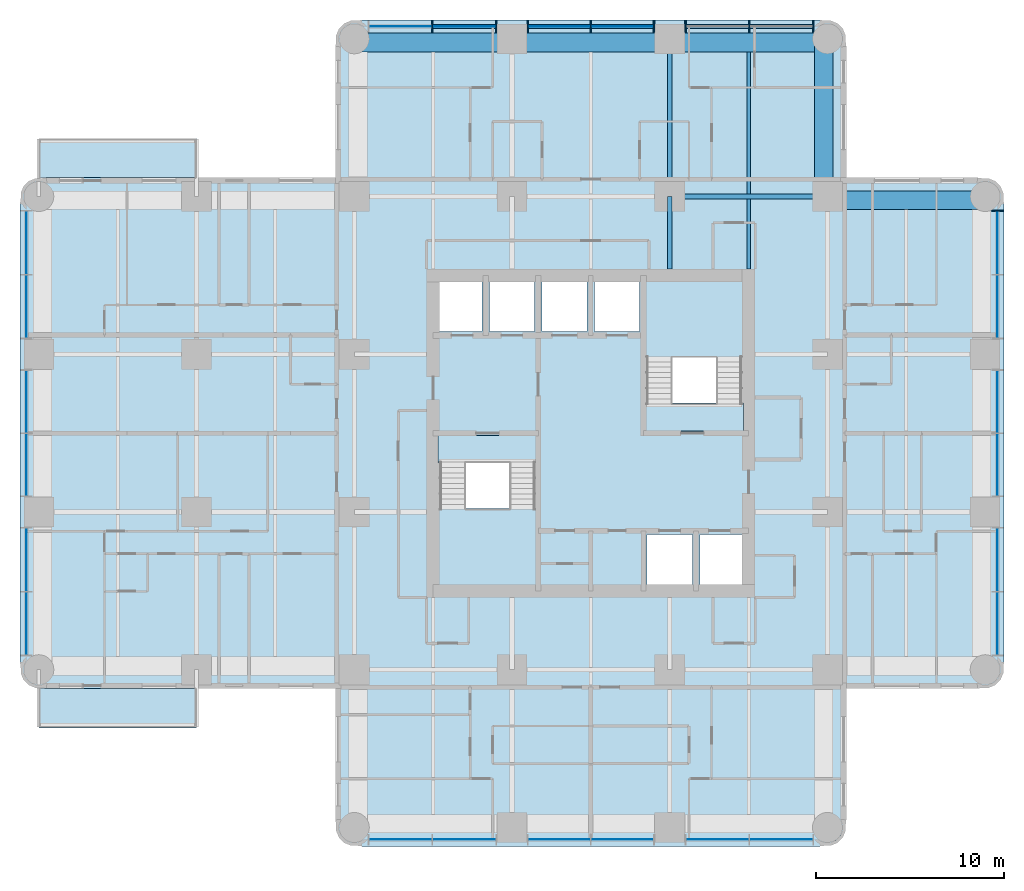
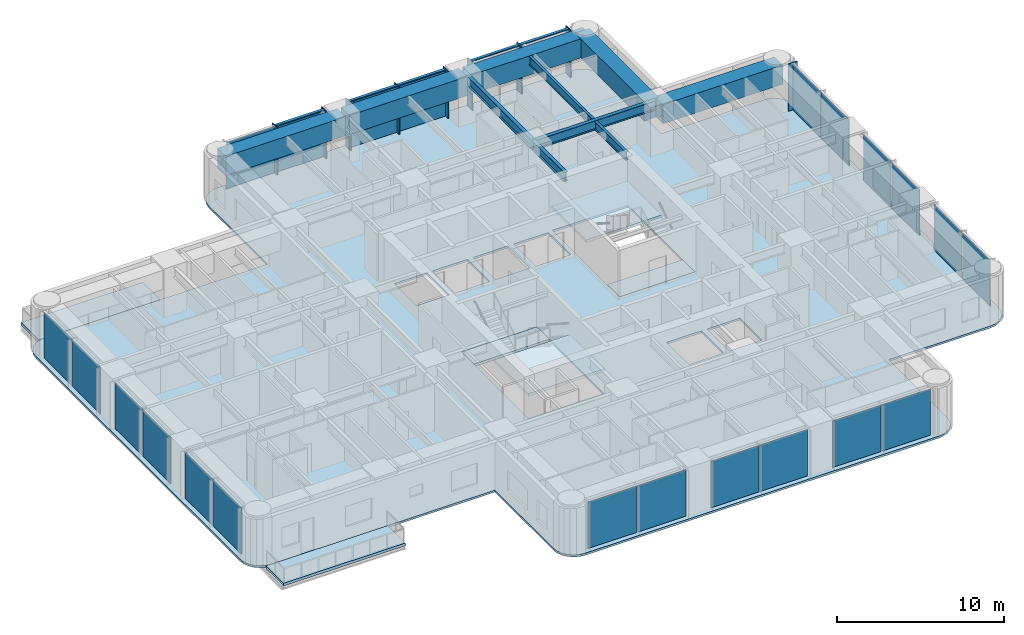
# One storey, part 3 of 11: 22 plates, 14 members, 10 beams, 7 slabs, 6 elements without a shape of their own.
"""IFC4 building model written with IfcOpenShell, lengths in metres."""

from ifc_helpers import new_model, si_unit, direction, frame, origin, origin_2d, place, context, subcontext, project, spatial, polyline, rectangle, i_section, outline, extrude, material, layer, layer_set, material_profile, profile_set, type_object, element, aggregate, save


model = new_model("IFC4")

# Units and contexts
model_context = context("Model", 3, precision=1e-05, world=origin(), true_north=direction((0.0, 1.0)))
body_context = subcontext(model_context, "Body", "Model", "MODEL_VIEW")
ifc_project = project(units=[si_unit("LENGTHUNIT", "METRE"), si_unit("AREAUNIT", "SQUARE_METRE"), si_unit("VOLUMEUNIT", "CUBIC_METRE"), si_unit("PLANEANGLEUNIT", "RADIAN"), si_unit("MASSUNIT", "GRAM", prefix="KILO")], contexts=[model_context])

# Site, building, storey
site_placement = place(None, origin())
site = spatial("IfcSite", under=ifc_project, at=site_placement, CompositionType="ELEMENT")
building_placement = place(site_placement, origin())
building = spatial("IfcBuilding", under=site, at=building_placement, Name="Torre Alcanfor", CompositionType="ELEMENT")
storey_placement = place(building_placement, frame((0.0, 0.0, 240.89990234375)))
storey = spatial("IfcBuildingStorey", under=building, at=storey_placement, Name="L63", CompositionType="ELEMENT", Elevation=240.89990234375)

# Curtain wall, member
ifc_material_1 = material(Name="Aluminium and glass", Category="aluminium")
curtain_wall_type = type_object("IfcCurtainWallType", Name="CW-A unitised apartment glazing with vertical FIN", PredefinedType="NOTDEFINED", material=ifc_material_1)
curtain_wall_1_placement = place(storey_placement, origin())
curtain_wall_1 = element("IfcCurtainWall", 1, at=curtain_wall_1_placement, inside=storey, type_object=curtain_wall_type, Name="Curtain wall CW-A L63 8", PredefinedType="NOTDEFINED")
ifc_material_2 = material(Name="Bronze anodised aluminium", Category="aluminium")
ifc_material_profile_1 = material_profile(ifc_material_2, rectangle(XDim=0.60009765625, YDim=0.06494140625, at=origin_2d()), Name="CW-A mullion 65x600")
ifc_profile_set_1 = profile_set([ifc_material_profile_1], Name="Bronze anodised aluminium")
member_type_1 = type_object("IfcMemberType", Name="CW-A mullion with vertical FIN 65x600", PredefinedType="MULLION", material=ifc_profile_set_1)
member_1_placement = place(storey_placement, frame((51.050048828125, 41.24267578125, 0.0), z_axis=(0.0, 0.0, 1.0), x_axis=(-1.0, 0.0, 0.0)))
member_1 = element("IfcMember", 2, at=member_1_placement, type_object=member_type_1, Name="CW-A mullion 3.3", PredefinedType="MULLION", context=body_context, shape_type="SweptSolid", body=[
    extrude(rectangle(XDim=0.60009765625, YDim=0.06494140625, at=origin_2d()), origin(), (0.0, 0.0, 1.0), 3.4501953125),
])

# Curtain wall, members
curtain_wall_2_placement = place(storey_placement, origin())
curtain_wall_2 = element("IfcCurtainWall", 3, at=curtain_wall_2_placement, inside=storey, type_object=curtain_wall_type, Name="Curtain wall CW-A L63 11", PredefinedType="NOTDEFINED")
member_2_placement = place(storey_placement, frame((41.24267578125, 51.050048828125, 0.0), z_axis=(0.0, 0.0, 1.0), x_axis=(0.0, -1.0, 0.0)))
member_2 = element("IfcMember", 4, at=member_2_placement, type_object=member_type_1, Name="CW-A mullion 1.1", PredefinedType="MULLION", context=body_context, shape_type="SweptSolid", body=[
    extrude(rectangle(XDim=0.60009765625, YDim=0.06494140625, at=origin_2d()), origin(), (0.0, 0.0, 1.0), 3.4501953125),
])
member_3_placement = place(storey_placement, frame((37.840087890625, 51.050048828125, 0.0), z_axis=(0.0, 0.0, 1.0), x_axis=(0.0, -1.0, 0.0)))
member_3 = element("IfcMember", 5, at=member_3_placement, type_object=member_type_1, Name="CW-A mullion 1.2", PredefinedType="MULLION", context=body_context, shape_type="SweptSolid", body=[
    extrude(rectangle(XDim=0.60009765625, YDim=0.06494140625, at=origin_2d()), origin(), (0.0, 0.0, 1.0), 3.4501953125),
])
member_4_placement = place(storey_placement, frame((34.4375, 51.050048828125, 0.0), z_axis=(0.0, 0.0, 1.0), x_axis=(0.0, -1.0, 0.0)))
member_4 = element("IfcMember", 6, at=member_4_placement, type_object=member_type_1, Name="CW-A mullion 1.3", PredefinedType="MULLION", context=body_context, shape_type="SweptSolid", body=[
    extrude(rectangle(XDim=0.60009765625, YDim=0.06494140625, at=origin_2d()), origin(), (0.0, 0.0, 1.0), 3.4501953125),
])
member_5_placement = place(storey_placement, frame((32.762451171875, 51.050048828125, 0.0), z_axis=(0.0, 0.0, 1.0), x_axis=(0.0, -1.0, 0.0)))
member_5 = element("IfcMember", 7, at=member_5_placement, type_object=member_type_1, Name="CW-A mullion 2.1", PredefinedType="MULLION", context=body_context, shape_type="SweptSolid", body=[
    extrude(rectangle(XDim=0.60009765625, YDim=0.06494140625, at=origin_2d()), origin(), (0.0, 0.0, 1.0), 3.4501953125),
])
member_6_placement = place(storey_placement, frame((29.39990234375, 51.050048828125, 0.0), z_axis=(0.0, 0.0, 1.0), x_axis=(0.0, -1.0, 0.0)))
member_6 = element("IfcMember", 8, at=member_6_placement, type_object=member_type_1, Name="CW-A mullion 2.2", PredefinedType="MULLION", context=body_context, shape_type="SweptSolid", body=[
    extrude(rectangle(XDim=0.60009765625, YDim=0.06494140625, at=origin_2d()), origin(), (0.0, 0.0, 1.0), 3.4501953125),
])
member_7_placement = place(storey_placement, frame((26.03759765625, 51.050048828125, 0.0), z_axis=(0.0, 0.0, 1.0), x_axis=(0.0, -1.0, 0.0)))
member_7 = element("IfcMember", 9, at=member_7_placement, type_object=member_type_1, Name="CW-A mullion 2.3", PredefinedType="MULLION", context=body_context, shape_type="SweptSolid", body=[
    extrude(rectangle(XDim=0.60009765625, YDim=0.06494140625, at=origin_2d()), origin(), (0.0, 0.0, 1.0), 3.4501953125),
])
member_8_placement = place(storey_placement, frame((24.362548828125, 51.050048828125, 0.0), z_axis=(0.0, 0.0, 1.0), x_axis=(0.0, -1.0, 0.0)))
member_8 = element("IfcMember", 10, at=member_8_placement, type_object=member_type_1, Name="CW-A mullion 3.1", PredefinedType="MULLION", context=body_context, shape_type="SweptSolid", body=[
    extrude(rectangle(XDim=0.60009765625, YDim=0.06494140625, at=origin_2d()), origin(), (0.0, 0.0, 1.0), 3.4501953125),
])
member_9_placement = place(storey_placement, frame((20.9599609375, 51.050048828125, 0.0), z_axis=(0.0, 0.0, 1.0), x_axis=(0.0, -1.0, 0.0)))
member_9 = element("IfcMember", 11, at=member_9_placement, type_object=member_type_1, Name="CW-A mullion 3.2", PredefinedType="MULLION", context=body_context, shape_type="SweptSolid", body=[
    extrude(rectangle(XDim=0.60009765625, YDim=0.06494140625, at=origin_2d()), origin(), (0.0, 0.0, 1.0), 3.4501953125),
])
ifc_material_3 = material(Name="Extruded aluminium", Category="aluminium")
ifc_material_profile_2 = material_profile(ifc_material_3, rectangle(XDim=0.199951171875, YDim=0.06494140625, at=origin_2d()), Name="CW-A transom 200x65")
ifc_profile_set_2 = profile_set([ifc_material_profile_2], Name="Extruded aluminium")
member_type_2 = type_object("IfcMemberType", Name="CW-A transom 65x200", PredefinedType="USERDEFINED", material=ifc_profile_set_2)
member_10_placement = place(storey_placement, frame((41.210205078125, 51.050048828125, 3.41748046875), z_axis=(-1.0, 0.0, 0.0), x_axis=(0.0, -1.0, 0.0)))
member_10 = element("IfcMember", 12, at=member_10_placement, type_object=member_type_2, Name="CW-A transom 1.1.2", ObjectType="TRANSOM", PredefinedType="USERDEFINED", context=body_context, shape_type="SweptSolid", body=[
    extrude(rectangle(XDim=0.199951171875, YDim=0.06494140625, at=origin_2d()), origin(), (0.0, 0.0, 1.0), 3.337646484375),
])
member_11_placement = place(storey_placement, frame((37.8076171875, 51.050048828125, 3.41748046875), z_axis=(-1.0, 0.0, 0.0), x_axis=(0.0, -1.0, 0.0)))
member_11 = element("IfcMember", 13, at=member_11_placement, type_object=member_type_2, Name="CW-A transom 1.2.2", ObjectType="TRANSOM", PredefinedType="USERDEFINED", context=body_context, shape_type="SweptSolid", body=[
    extrude(rectangle(XDim=0.199951171875, YDim=0.06494140625, at=origin_2d()), origin(), (0.0, 0.0, 1.0), 3.337646484375),
])
member_12_placement = place(storey_placement, frame((32.72998046875, 51.050048828125, 3.41748046875), z_axis=(-1.0, 0.0, 0.0), x_axis=(0.0, -1.0, 0.0)))
member_12 = element("IfcMember", 14, at=member_12_placement, type_object=member_type_2, Name="CW-A transom 2.1.2", ObjectType="TRANSOM", PredefinedType="USERDEFINED", context=body_context, shape_type="SweptSolid", body=[
    extrude(rectangle(XDim=0.199951171875, YDim=0.06494140625, at=origin_2d()), origin(), (0.0, 0.0, 1.0), 3.29736328125),
])
member_13_placement = place(storey_placement, frame((29.367431640625, 51.050048828125, 3.41748046875), z_axis=(-1.0, 0.0, 0.0), x_axis=(0.0, -1.0, 0.0)))
member_13 = element("IfcMember", 15, at=member_13_placement, type_object=member_type_2, Name="CW-A transom 2.2.2", ObjectType="TRANSOM", PredefinedType="USERDEFINED", context=body_context, shape_type="SweptSolid", body=[
    extrude(rectangle(XDim=0.199951171875, YDim=0.06494140625, at=origin_2d()), origin(), (0.0, 0.0, 1.0), 3.29736328125),
])
member_14_placement = place(storey_placement, frame((24.330078125, 51.050048828125, 3.41748046875), z_axis=(-1.0, 0.0, 0.0), x_axis=(0.0, -1.0, 0.0)))
member_14 = element("IfcMember", 16, at=member_14_placement, type_object=member_type_2, Name="CW-A transom 3.1.2", ObjectType="TRANSOM", PredefinedType="USERDEFINED", context=body_context, shape_type="SweptSolid", body=[
    extrude(rectangle(XDim=0.199951171875, YDim=0.06494140625, at=origin_2d()), origin(), (0.0, 0.0, 1.0), 3.337646484375),
])

# Beams
ifc_material_4 = material(Name="Steel ASTM A992 Grade 50", Category="steel")
ifc_material_profile_3 = material_profile(ifc_material_4, i_section(OverallWidth=0.25390625, OverallDepth=0.683349609375, WebThickness=0.012451171875, FlangeThickness=0.01904296875, at=origin_2d()), Name="W27x94")
ifc_profile_set_3 = profile_set([ifc_material_profile_3], Name="Steel ASTM A992 Grade 50")
beam_type_1 = type_object("IfcBeamType", Name="Girder W27x94", PredefinedType="BEAM", material=ifc_profile_set_3)
for number, where, z_axis, x_axis, name in (
    (17, (33.60009765625, 42.0, 3.1083984375), (1.0, 0.0, 0.0), (0.0, 1.0, 0.0), "Beam 5H-6H under L64"),
    (18, (33.60009765625, 42.0, 3.1083984375), (0.0, 1.0, 0.0), (-1.0, 0.0, 0.0), "Beam 5H-5J under L64"),
):
    element("IfcBeam", number, at=place(storey_placement, frame(where, z_axis=z_axis, x_axis=x_axis)), inside=storey, type_object=beam_type_1, Name=name, PredefinedType="BEAM", context=body_context, shape_type="SweptSolid", body=[
        extrude(i_section(OverallWidth=0.25390625, OverallDepth=0.683349609375, WebThickness=0.012451171875, FlangeThickness=0.01904296875, at=origin_2d()), origin(), (0.0, 0.0, 1.0), 8.39990234375),
    ])
ifc_material_5 = material(Name="Steel ASTM A992 Grade 50", Category="steel")
ifc_material_profile_4 = material_profile(ifc_material_5, i_section(OverallWidth=0.25390625, OverallDepth=0.683349609375, WebThickness=0.012451171875, FlangeThickness=0.01904296875, at=origin_2d()), Name="W27x94")
ifc_profile_set_4 = profile_set([ifc_material_profile_4], Name="Steel ASTM A992 Grade 50")
beam_type_2 = type_object("IfcBeamType", Name="Girder, part bay W27x94", PredefinedType="BEAM", material=ifc_profile_set_4)
beam_1_placement = place(storey_placement, frame((33.60009765625, 42.0, 3.1083984375), z_axis=(0.0, -1.0, 0.0), x_axis=(1.0, 0.0, 0.0)))
element("IfcBeam", 19, at=beam_1_placement, inside=storey, type_object=beam_type_2, Name="Beam 5H-538_15 under L64", PredefinedType="BEAM", context=body_context, shape_type="SweptSolid", body=[
    extrude(i_section(OverallWidth=0.25390625, OverallDepth=0.683349609375, WebThickness=0.012451171875, FlangeThickness=0.01904296875, at=origin_2d()), origin(), (0.0, 0.0, 1.0), 3.85009765625),
])
ifc_material_6 = material(Name="Concrete f'c 70 MPa", Category="concrete")
ifc_material_profile_5 = material_profile(ifc_material_6, rectangle(XDim=1.0, YDim=1.39990234375, at=origin_2d()), Name="1000x1400")
ifc_profile_set_5 = profile_set([ifc_material_profile_5], Name="Concrete f'c 70 MPa")
beam_type_3 = type_object("IfcBeamType", Name="RC perimeter beam 1000x1400", PredefinedType="BEAM", material=ifc_profile_set_5)
for number, where, z_axis, x_axis, name in (
    (20, (42.126953125, 41.800048828125, 2.75), (1.0, 0.0, 0.0), (0.0, 1.0, 0.0), "Beam 6H-7H under L64"),
    (21, (16.800048828125, 50.199951171875, 2.75), (1.0, 0.0, 0.0), (0.0, 1.0, 0.0), "Beam 3J-4J under L64"),
):
    element("IfcBeam", number, at=place(storey_placement, frame(where, z_axis=z_axis, x_axis=x_axis)), inside=storey, type_object=beam_type_3, Name=name, PredefinedType="BEAM", context=body_context, shape_type="SweptSolid", body=[
        extrude(rectangle(XDim=1.0, YDim=1.39990234375, at=origin_2d()), origin(), (0.0, 0.0, 1.0), 8.27294921875),
    ])
beam_2_placement = place(storey_placement, frame((25.326904296875, 50.199951171875, 2.75), z_axis=(1.0, 0.0, 0.0), x_axis=(0.0, 1.0, 0.0)))
element("IfcBeam", 22, at=beam_2_placement, inside=storey, type_object=beam_type_3, Name="Beam 4J-5J under L64", PredefinedType="BEAM", context=body_context, shape_type="SweptSolid", body=[
    extrude(rectangle(XDim=1.0, YDim=1.39990234375, at=origin_2d()), origin(), (0.0, 0.0, 1.0), 8.14599609375),
])
for number, where, z_axis, x_axis, name in (
    (23, (33.72705078125, 50.199951171875, 2.75), (1.0, 0.0, 0.0), (0.0, 1.0, 0.0), "Beam 5J-6J under L64"),
    (24, (41.800048828125, 42.126953125, 2.75), (0.0, 1.0, 0.0), (-1.0, 0.0, 0.0), "Beam 6H-6J under L64"),
):
    element("IfcBeam", number, at=place(storey_placement, frame(where, z_axis=z_axis, x_axis=x_axis)), inside=storey, type_object=beam_type_3, Name=name, PredefinedType="BEAM", context=body_context, shape_type="SweptSolid", body=[
        extrude(rectangle(XDim=1.0, YDim=1.39990234375, at=origin_2d()), origin(), (0.0, 0.0, 1.0), 8.27294921875),
    ])
ifc_material_7 = material(Name="Steel ASTM A992 Grade 50", Category="steel")
ifc_material_profile_6 = material_profile(ifc_material_7, i_section(OverallWidth=0.1787109375, OverallDepth=0.60205078125, WebThickness=0.010986328125, FlangeThickness=0.014892578125, at=origin_2d()), Name="W24x62")
ifc_profile_set_6 = profile_set([ifc_material_profile_6], Name="Steel ASTM A992 Grade 50")
beam_type_4 = type_object("IfcBeamType", Name="Secondary beam W24x62", PredefinedType="BEAM", material=ifc_profile_set_6)
beam_3_placement = place(storey_placement, frame((37.800048828125, 42.126953125, 3.149169921875), z_axis=(0.0, 1.0, 0.0), x_axis=(-1.0, 0.0, 0.0)))
element("IfcBeam", 25, at=beam_3_placement, inside=storey, type_object=beam_type_4, Name="Beam 37_8H-37_8J under L64", PredefinedType="BEAM", context=body_context, shape_type="SweptSolid", body=[
    extrude(i_section(OverallWidth=0.1787109375, OverallDepth=0.60205078125, WebThickness=0.010986328125, FlangeThickness=0.014892578125, at=origin_2d()), origin(), (0.0, 0.0, 1.0), 7.572998046875),
])
ifc_material_8 = material(Name="Steel ASTM A992 Grade 50", Category="steel")
ifc_material_profile_7 = material_profile(ifc_material_8, i_section(OverallWidth=0.1787109375, OverallDepth=0.60205078125, WebThickness=0.010986328125, FlangeThickness=0.014892578125, at=origin_2d()), Name="W24x62")
ifc_profile_set_7 = profile_set([ifc_material_profile_7], Name="Steel ASTM A992 Grade 50")
beam_type_5 = type_object("IfcBeamType", Name="Secondary beam, part bay W24x62", PredefinedType="BEAM", material=ifc_profile_set_7)
beam_4_placement = place(storey_placement, frame((37.800048828125, 38.14990234375, 3.149169921875), z_axis=(0.0, 1.0, 0.0), x_axis=(-1.0, 0.0, 0.0)))
element("IfcBeam", 26, at=beam_4_placement, inside=storey, type_object=beam_type_5, Name="Beam 37_838_15-37_8H under L64", PredefinedType="BEAM", context=body_context, shape_type="SweptSolid", body=[
    extrude(i_section(OverallWidth=0.1787109375, OverallDepth=0.60205078125, WebThickness=0.010986328125, FlangeThickness=0.014892578125, at=origin_2d()), origin(), (0.0, 0.0, 1.0), 3.72314453125),
])

# Slabs
ifc_material_9 = material(Name="Concrete f'c 35 MPa", Category="concrete")
ifc_layer_1 = layer(ifc_material_9, 0.199951171875)
ifc_layer_set_1 = layer_set([ifc_layer_1], Name="Balcony slab 200")
slab_type_1 = type_object("IfcSlabType", Name="Balcony slab 200", PredefinedType="FLOOR", material=ifc_layer_set_1)
slab_1_placement = place(storey_placement, frame((0.0, 0.0, -0.199951171875)))
element("IfcSlab", 27, at=slab_1_placement, inside=storey, type_object=slab_type_1, Name="Balcony L63-W1", PredefinedType="FLOOR", context=body_context, shape_type="SweptSolid", body=[
    extrude(outline(polyline([(8.39990234375, 15.800048828125), (0.0, 15.800048828125), (0.0, 13.699951171875), (8.39990234375, 13.699951171875), (8.39990234375, 15.800048828125)])), origin(), (0.0, 0.0, 1.0), 0.199951171875),
])
slab_2_placement = place(storey_placement, frame((0.0, 0.0, -0.199951171875)))
element("IfcSlab", 28, at=slab_2_placement, inside=storey, type_object=slab_type_1, Name="Balcony L63-W2", PredefinedType="FLOOR", context=body_context, shape_type="SweptSolid", body=[
    extrude(outline(polyline([(8.39990234375, 45.10009765625), (0.0, 45.10009765625), (0.0, 43.0), (8.39990234375, 43.0), (8.39990234375, 45.10009765625)])), origin(), (0.0, 0.0, 1.0), 0.199951171875),
])

# Curtain wall, plates
curtain_wall_3_placement = place(storey_placement, origin())
curtain_wall_3 = element("IfcCurtainWall", 29, at=curtain_wall_3_placement, inside=storey, type_object=curtain_wall_type, Name="Curtain wall CW-A L63 2", PredefinedType="NOTDEFINED")
ifc_material_10 = material(Name="Glass", Category="glass")
ifc_layer_2 = layer(ifc_material_10, 0.028076171875)
ifc_layer_set_2 = layer_set([ifc_layer_2], Name="CW-A clear double glazed unit")
plate_type = type_object("IfcPlateType", Name="CW-A clear double glazed unit", PredefinedType="CURTAIN_PANEL", material=ifc_layer_set_2)
plate_1_placement = place(storey_placement, frame((-0.64990234375, 39.541259765625, 0.0), z_axis=(0.0, 0.0, 1.0), x_axis=(0.0, -1.0, 0.0)))
plate_1 = element("IfcPlate", 30, at=plate_1_placement, type_object=plate_type, Name="CW-A panel 1.1.1", PredefinedType="CURTAIN_PANEL", context=body_context, shape_type="SweptSolid", body=[
    extrude(rectangle(XDim=3.337646484375, YDim=0.028076171875, at=origin_2d()), origin(), (0.0, 0.0, 1.0), 3.385009765625),
])
plate_2_placement = place(storey_placement, frame((-0.64990234375, 36.138671875, 0.0), z_axis=(0.0, 0.0, 1.0), x_axis=(0.0, -1.0, 0.0)))
plate_2 = element("IfcPlate", 31, at=plate_2_placement, type_object=plate_type, Name="CW-A panel 1.2.1", PredefinedType="CURTAIN_PANEL", context=body_context, shape_type="SweptSolid", body=[
    extrude(rectangle(XDim=3.337646484375, YDim=0.028076171875, at=origin_2d()), origin(), (0.0, 0.0, 1.0), 3.385009765625),
])
plate_3_placement = place(storey_placement, frame((-0.64990234375, 31.081298828125, 0.0), z_axis=(0.0, 0.0, 1.0), x_axis=(0.0, -1.0, 0.0)))
plate_3 = element("IfcPlate", 32, at=plate_3_placement, type_object=plate_type, Name="CW-A panel 2.1.1", PredefinedType="CURTAIN_PANEL", context=body_context, shape_type="SweptSolid", body=[
    extrude(rectangle(XDim=3.297607421875, YDim=0.028076171875, at=origin_2d()), origin(), (0.0, 0.0, 1.0), 3.385009765625),
])
plate_4_placement = place(storey_placement, frame((-0.64990234375, 27.71875, 0.0), z_axis=(0.0, 0.0, 1.0), x_axis=(0.0, -1.0, 0.0)))
plate_4 = element("IfcPlate", 33, at=plate_4_placement, type_object=plate_type, Name="CW-A panel 2.2.1", PredefinedType="CURTAIN_PANEL", context=body_context, shape_type="SweptSolid", body=[
    extrude(rectangle(XDim=3.297607421875, YDim=0.028076171875, at=origin_2d()), origin(), (0.0, 0.0, 1.0), 3.385009765625),
])
plate_5_placement = place(storey_placement, frame((-0.64990234375, 22.6611328125, 0.0), z_axis=(0.0, 0.0, 1.0), x_axis=(0.0, -1.0, 0.0)))
plate_5 = element("IfcPlate", 34, at=plate_5_placement, type_object=plate_type, Name="CW-A panel 3.1.1", PredefinedType="CURTAIN_PANEL", context=body_context, shape_type="SweptSolid", body=[
    extrude(rectangle(XDim=3.337646484375, YDim=0.028076171875, at=origin_2d()), origin(), (0.0, 0.0, 1.0), 3.385009765625),
])
plate_6_placement = place(storey_placement, frame((-0.64990234375, 19.2587890625, 0.0), z_axis=(0.0, 0.0, 1.0), x_axis=(0.0, -1.0, 0.0)))
plate_6 = element("IfcPlate", 35, at=plate_6_placement, type_object=plate_type, Name="CW-A panel 3.2.1", PredefinedType="CURTAIN_PANEL", context=body_context, shape_type="SweptSolid", body=[
    extrude(rectangle(XDim=3.337646484375, YDim=0.028076171875, at=origin_2d()), origin(), (0.0, 0.0, 1.0), 3.385009765625),
])
aggregate(curtain_wall_3, [plate_1, plate_2, plate_3, plate_4, plate_5, plate_6])

curtain_wall_4_placement = place(storey_placement, origin())
curtain_wall_4 = element("IfcCurtainWall", 36, at=curtain_wall_4_placement, inside=storey, type_object=curtain_wall_type, Name="Curtain wall CW-A L63 5", PredefinedType="NOTDEFINED")
plate_7_placement = place(storey_placement, frame((19.2587890625, 7.75, 0.0), z_axis=(0.0, 0.0, 1.0), x_axis=(1.0, 0.0, 0.0)))
plate_7 = element("IfcPlate", 37, at=plate_7_placement, type_object=plate_type, Name="CW-A panel 1.1.1", PredefinedType="CURTAIN_PANEL", context=body_context, shape_type="SweptSolid", body=[
    extrude(rectangle(XDim=3.337646484375, YDim=0.028076171875, at=origin_2d()), origin(), (0.0, 0.0, 1.0), 3.385009765625),
])
plate_8_placement = place(storey_placement, frame((22.6611328125, 7.75, 0.0), z_axis=(0.0, 0.0, 1.0), x_axis=(1.0, 0.0, 0.0)))
plate_8 = element("IfcPlate", 38, at=plate_8_placement, type_object=plate_type, Name="CW-A panel 1.2.1", PredefinedType="CURTAIN_PANEL", context=body_context, shape_type="SweptSolid", body=[
    extrude(rectangle(XDim=3.337646484375, YDim=0.028076171875, at=origin_2d()), origin(), (0.0, 0.0, 1.0), 3.385009765625),
])
plate_9_placement = place(storey_placement, frame((27.71875, 7.75, 0.0), z_axis=(0.0, 0.0, 1.0), x_axis=(1.0, 0.0, 0.0)))
plate_9 = element("IfcPlate", 39, at=plate_9_placement, type_object=plate_type, Name="CW-A panel 2.1.1", PredefinedType="CURTAIN_PANEL", context=body_context, shape_type="SweptSolid", body=[
    extrude(rectangle(XDim=3.297607421875, YDim=0.028076171875, at=origin_2d()), origin(), (0.0, 0.0, 1.0), 3.385009765625),
])
plate_10_placement = place(storey_placement, frame((31.081298828125, 7.75, 0.0), z_axis=(0.0, 0.0, 1.0), x_axis=(1.0, 0.0, 0.0)))
plate_10 = element("IfcPlate", 40, at=plate_10_placement, type_object=plate_type, Name="CW-A panel 2.2.1", PredefinedType="CURTAIN_PANEL", context=body_context, shape_type="SweptSolid", body=[
    extrude(rectangle(XDim=3.297607421875, YDim=0.028076171875, at=origin_2d()), origin(), (0.0, 0.0, 1.0), 3.385009765625),
])
plate_11_placement = place(storey_placement, frame((36.138671875, 7.75, 0.0), z_axis=(0.0, 0.0, 1.0), x_axis=(1.0, 0.0, 0.0)))
plate_11 = element("IfcPlate", 41, at=plate_11_placement, type_object=plate_type, Name="CW-A panel 3.1.1", PredefinedType="CURTAIN_PANEL", context=body_context, shape_type="SweptSolid", body=[
    extrude(rectangle(XDim=3.337646484375, YDim=0.028076171875, at=origin_2d()), origin(), (0.0, 0.0, 1.0), 3.385009765625),
])
plate_12_placement = place(storey_placement, frame((39.541259765625, 7.75, 0.0), z_axis=(0.0, 0.0, 1.0), x_axis=(1.0, 0.0, 0.0)))
plate_12 = element("IfcPlate", 42, at=plate_12_placement, type_object=plate_type, Name="CW-A panel 3.2.1", PredefinedType="CURTAIN_PANEL", context=body_context, shape_type="SweptSolid", body=[
    extrude(rectangle(XDim=3.337646484375, YDim=0.028076171875, at=origin_2d()), origin(), (0.0, 0.0, 1.0), 3.385009765625),
])
aggregate(curtain_wall_4, [plate_7, plate_8, plate_9, plate_10, plate_11, plate_12])

# Plate
plate_13_placement = place(storey_placement, frame((51.050048828125, 19.2587890625, 0.0), z_axis=(0.0, 0.0, 1.0), x_axis=(0.0, 1.0, 0.0)))
plate_13 = element("IfcPlate", 43, at=plate_13_placement, type_object=plate_type, Name="CW-A panel 1.1.1", PredefinedType="CURTAIN_PANEL", context=body_context, shape_type="SweptSolid", body=[
    extrude(rectangle(XDim=3.337646484375, YDim=0.028076171875, at=origin_2d()), origin(), (0.0, 0.0, 1.0), 3.385009765625),
])

plate_14_placement = place(storey_placement, frame((51.050048828125, 22.6611328125, 0.0), z_axis=(0.0, 0.0, 1.0), x_axis=(0.0, 1.0, 0.0)))
plate_14 = element("IfcPlate", 44, at=plate_14_placement, type_object=plate_type, Name="CW-A panel 1.2.1", PredefinedType="CURTAIN_PANEL", context=body_context, shape_type="SweptSolid", body=[
    extrude(rectangle(XDim=3.337646484375, YDim=0.028076171875, at=origin_2d()), origin(), (0.0, 0.0, 1.0), 3.385009765625),
])

plate_15_placement = place(storey_placement, frame((51.050048828125, 27.71875, 0.0), z_axis=(0.0, 0.0, 1.0), x_axis=(0.0, 1.0, 0.0)))
plate_15 = element("IfcPlate", 45, at=plate_15_placement, type_object=plate_type, Name="CW-A panel 2.1.1", PredefinedType="CURTAIN_PANEL", context=body_context, shape_type="SweptSolid", body=[
    extrude(rectangle(XDim=3.297607421875, YDim=0.028076171875, at=origin_2d()), origin(), (0.0, 0.0, 1.0), 3.385009765625),
])

plate_16_placement = place(storey_placement, frame((51.050048828125, 31.081298828125, 0.0), z_axis=(0.0, 0.0, 1.0), x_axis=(0.0, 1.0, 0.0)))
plate_16 = element("IfcPlate", 46, at=plate_16_placement, type_object=plate_type, Name="CW-A panel 2.2.1", PredefinedType="CURTAIN_PANEL", context=body_context, shape_type="SweptSolid", body=[
    extrude(rectangle(XDim=3.297607421875, YDim=0.028076171875, at=origin_2d()), origin(), (0.0, 0.0, 1.0), 3.385009765625),
])

plate_17_placement = place(storey_placement, frame((51.050048828125, 36.138671875, 0.0), z_axis=(0.0, 0.0, 1.0), x_axis=(0.0, 1.0, 0.0)))
plate_17 = element("IfcPlate", 47, at=plate_17_placement, type_object=plate_type, Name="CW-A panel 3.1.1", PredefinedType="CURTAIN_PANEL", context=body_context, shape_type="SweptSolid", body=[
    extrude(rectangle(XDim=3.337646484375, YDim=0.028076171875, at=origin_2d()), origin(), (0.0, 0.0, 1.0), 3.385009765625),
])

plate_18_placement = place(storey_placement, frame((51.050048828125, 39.541259765625, 0.0), z_axis=(0.0, 0.0, 1.0), x_axis=(0.0, 1.0, 0.0)))
plate_18 = element("IfcPlate", 48, at=plate_18_placement, type_object=plate_type, Name="CW-A panel 3.2.1", PredefinedType="CURTAIN_PANEL", context=body_context, shape_type="SweptSolid", body=[
    extrude(rectangle(XDim=3.337646484375, YDim=0.028076171875, at=origin_2d()), origin(), (0.0, 0.0, 1.0), 3.385009765625),
])

aggregate(curtain_wall_1, [plate_13, plate_14, plate_15, plate_16, member_1, plate_17, plate_18])

plate_19_placement = place(storey_placement, frame((31.081298828125, 51.050048828125, 0.0), z_axis=(0.0, 0.0, 1.0), x_axis=(-1.0, 0.0, 0.0)))
plate_19 = element("IfcPlate", 49, at=plate_19_placement, type_object=plate_type, Name="CW-A panel 2.1.1", PredefinedType="CURTAIN_PANEL", context=body_context, shape_type="SweptSolid", body=[
    extrude(rectangle(XDim=3.297607421875, YDim=0.028076171875, at=origin_2d()), origin(), (0.0, 0.0, 1.0), 3.385009765625),
])

plate_20_placement = place(storey_placement, frame((27.71875, 51.050048828125, 0.0), z_axis=(0.0, 0.0, 1.0), x_axis=(-1.0, 0.0, 0.0)))
plate_20 = element("IfcPlate", 50, at=plate_20_placement, type_object=plate_type, Name="CW-A panel 2.2.1", PredefinedType="CURTAIN_PANEL", context=body_context, shape_type="SweptSolid", body=[
    extrude(rectangle(XDim=3.297607421875, YDim=0.028076171875, at=origin_2d()), origin(), (0.0, 0.0, 1.0), 3.385009765625),
])

plate_21_placement = place(storey_placement, frame((22.6611328125, 51.050048828125, 0.0), z_axis=(0.0, 0.0, 1.0), x_axis=(-1.0, 0.0, 0.0)))
plate_21 = element("IfcPlate", 51, at=plate_21_placement, type_object=plate_type, Name="CW-A panel 3.1.1", PredefinedType="CURTAIN_PANEL", context=body_context, shape_type="SweptSolid", body=[
    extrude(rectangle(XDim=3.337646484375, YDim=0.028076171875, at=origin_2d()), origin(), (0.0, 0.0, 1.0), 3.385009765625),
])

plate_22_placement = place(storey_placement, frame((19.2587890625, 51.050048828125, 0.0), z_axis=(0.0, 0.0, 1.0), x_axis=(-1.0, 0.0, 0.0)))
plate_22 = element("IfcPlate", 52, at=plate_22_placement, type_object=plate_type, Name="CW-A panel 3.2.1", PredefinedType="CURTAIN_PANEL", context=body_context, shape_type="SweptSolid", body=[
    extrude(rectangle(XDim=3.337646484375, YDim=0.028076171875, at=origin_2d()), origin(), (0.0, 0.0, 1.0), 3.385009765625),
])

aggregate(curtain_wall_2, [member_2, member_3, member_4, member_10, member_11, member_5, member_6, member_7, member_12, plate_19, member_13, plate_20, member_8, member_9, member_14, plate_21, plate_22])

# Slab
ifc_material_11 = material(Name="Concrete f'c 35 MPa", Category="concrete")
ifc_layer_3 = layer(ifc_material_11, 0.14990234375)
ifc_layer_set_3 = layer_set([ifc_layer_3], Name="Composite floor 150 on metal deck")
slab_type_2 = type_object("IfcSlabType", Name="Composite floor 150 on metal deck", PredefinedType="FLOOR", material=ifc_layer_set_3)
slab_3_placement = place(storey_placement, frame((0.0, 0.0, -0.14990234375)))
element("IfcSlab", 53, at=slab_3_placement, inside=storey, type_object=slab_type_2, Name="Floor slab L63", PredefinedType="FLOOR", context=body_context, shape_type="SweptSolid", body=[
    extrude(outline(polyline([(15.800048828125, 43.0), (0.39990234375, 43.0), (0.03759765625, 42.952392578125), (-0.300048828125, 42.8125), (-0.58984375, 42.58984375), (-0.8125, 42.300048828125), (-0.952392578125, 41.96240234375), (-1.0, 41.60009765625), (-1.0, 17.199951171875), (-0.952392578125, 16.837646484375), (-0.8125, 16.5), (-0.58984375, 16.210205078125), (-0.300048828125, 15.987548828125), (0.03759765625, 15.84765625), (0.39990234375, 15.800048828125), (15.800048828125, 15.800048828125), (15.800048828125, 8.800048828125), (15.84765625, 8.437744140625), (15.987548828125, 8.10009765625), (16.210205078125, 7.81005859375), (16.5, 7.587646484375), (16.837646484375, 7.44775390625), (17.199951171875, 7.39990234375), (41.60009765625, 7.39990234375), (41.96240234375, 7.44775390625), (42.300048828125, 7.587646484375), (42.58984375, 7.81005859375), (42.8125, 8.10009765625), (42.952392578125, 8.437744140625), (43.0, 8.800048828125), (43.0, 15.800048828125), (50.0, 15.800048828125), (50.3623046875, 15.84765625), (50.699951171875, 15.987548828125), (50.989990234375, 16.210205078125), (51.21240234375, 16.5), (51.352294921875, 16.837646484375), (51.39990234375, 17.199951171875), (51.39990234375, 41.60009765625), (51.352294921875, 41.96240234375), (51.21240234375, 42.300048828125), (50.989990234375, 42.58984375), (50.699951171875, 42.8125), (50.3623046875, 42.952392578125), (50.0, 43.0), (43.0, 43.0), (43.0, 50.0), (42.952392578125, 50.3623046875), (42.8125, 50.699951171875), (42.58984375, 50.989990234375), (42.300048828125, 51.21240234375), (41.96240234375, 51.352294921875), (41.60009765625, 51.39990234375), (17.199951171875, 51.39990234375), (16.837646484375, 51.352294921875), (16.5, 51.21240234375), (16.210205078125, 50.989990234375), (15.987548828125, 50.699951171875), (15.84765625, 50.3623046875), (15.800048828125, 50.0), (15.800048828125, 43.0)]), holes=[polyline([(21.27001953125, 21.27001953125), (26.47998046875, 21.27001953125), (26.47998046875, 29.280029296875), (21.27001953125, 29.280029296875), (21.27001953125, 21.27001953125)]), polyline([(32.320068359375, 29.52001953125), (37.530029296875, 29.52001953125), (37.530029296875, 37.530029296875), (32.320068359375, 37.530029296875), (32.320068359375, 29.52001953125)]), polyline([(32.39990234375, 21.35009765625), (34.800048828125, 21.35009765625), (34.800048828125, 24.0), (32.39990234375, 24.0), (32.39990234375, 21.35009765625)]), polyline([(35.199951171875, 21.35009765625), (37.449951171875, 21.35009765625), (37.449951171875, 24.0), (35.199951171875, 24.0), (35.199951171875, 21.35009765625)]), polyline([(21.35009765625, 34.800048828125), (23.60009765625, 34.800048828125), (23.60009765625, 37.449951171875), (21.35009765625, 37.449951171875), (21.35009765625, 34.800048828125)]), polyline([(24.0, 34.800048828125), (26.39990234375, 34.800048828125), (26.39990234375, 37.449951171875), (24.0, 37.449951171875), (24.0, 34.800048828125)]), polyline([(26.800048828125, 34.800048828125), (29.199951171875, 34.800048828125), (29.199951171875, 37.449951171875), (26.800048828125, 37.449951171875), (26.800048828125, 34.800048828125)]), polyline([(29.60009765625, 34.800048828125), (32.0, 34.800048828125), (32.0, 37.449951171875), (29.60009765625, 37.449951171875), (29.60009765625, 34.800048828125)])]), origin(), (0.0, 0.0, 1.0), 0.14990234375),
])

# Stair, slabs
ifc_material_12 = material(Name="Concrete f'c 35 MPa", Category="concrete")
stair_type_1 = type_object("IfcStairType", Name="Exit stair S1 1400 wide", PredefinedType="HALF_TURN_STAIR", material=ifc_material_12)
stair_1_placement = place(storey_placement, origin())
stair_1 = element("IfcStair", 54, at=stair_1_placement, inside=storey, type_object=stair_type_1, Name="Stair S1 L63 to L64", PredefinedType="HALF_TURN_STAIR")
ifc_material_13 = material(Name="Concrete f'c 35 MPa", Category="concrete")
ifc_layer_4 = layer(ifc_material_13, 0.199951171875)
ifc_layer_set_4 = layer_set([ifc_layer_4], Name="Stair landing 200")
slab_type_3 = type_object("IfcSlabType", Name="Stair landing 200", PredefinedType="LANDING", material=ifc_layer_set_4)
slab_4_placement = place(storey_placement, frame((0.0, 0.0, -0.199951171875)))
slab_4 = element("IfcSlab", 55, at=slab_4_placement, type_object=slab_type_3, Name="S1 landing 1", PredefinedType="LANDING", context=body_context, shape_type="SweptSolid", body=[
    extrude(outline(polyline([(21.27001953125, 27.800048828125), (26.47998046875, 27.800048828125), (26.47998046875, 29.280029296875), (21.27001953125, 29.280029296875), (21.27001953125, 27.800048828125)])), origin(), (0.0, 0.0, 1.0), 0.199951171875),
])
slab_5_placement = place(storey_placement, frame((0.0, 0.0, 1.60009765625)))
slab_5 = element("IfcSlab", 56, at=slab_5_placement, type_object=slab_type_3, Name="S1 landing 2", PredefinedType="LANDING", context=body_context, shape_type="SweptSolid", body=[
    extrude(outline(polyline([(21.27001953125, 21.27001953125), (26.530029296875, 21.27001953125), (26.530029296875, 25.3798828125), (21.27001953125, 25.3798828125), (21.27001953125, 21.27001953125)])), origin(), (0.0, 0.0, 1.0), 0.199951171875),
])
aggregate(stair_1, [slab_4, slab_5])

ifc_material_14 = material(Name="Concrete f'c 35 MPa", Category="concrete")
stair_type_2 = type_object("IfcStairType", Name="Exit stair S2 1400 wide", PredefinedType="HALF_TURN_STAIR", material=ifc_material_14)
stair_2_placement = place(storey_placement, origin())
stair_2 = element("IfcStair", 57, at=stair_2_placement, inside=storey, type_object=stair_type_2, Name="Stair S2 L63 to L64", PredefinedType="HALF_TURN_STAIR")
slab_6_placement = place(storey_placement, frame((0.0, 0.0, -0.199951171875)))
slab_6 = element("IfcSlab", 58, at=slab_6_placement, type_object=slab_type_3, Name="S2 landing 1", PredefinedType="LANDING", context=body_context, shape_type="SweptSolid", body=[
    extrude(outline(polyline([(32.320068359375, 29.52001953125), (37.530029296875, 29.52001953125), (37.530029296875, 31.0), (32.320068359375, 31.0), (32.320068359375, 29.52001953125)])), origin(), (0.0, 0.0, 1.0), 0.199951171875),
])
slab_7_placement = place(storey_placement, frame((0.0, 0.0, 1.60009765625)))
slab_7 = element("IfcSlab", 59, at=slab_7_placement, type_object=slab_type_3, Name="S2 landing 2", PredefinedType="LANDING", context=body_context, shape_type="SweptSolid", body=[
    extrude(outline(polyline([(32.27001953125, 33.419921875), (37.530029296875, 33.419921875), (37.530029296875, 37.530029296875), (32.27001953125, 37.530029296875), (32.27001953125, 33.419921875)])), origin(), (0.0, 0.0, 1.0), 0.199951171875),
])
aggregate(stair_2, [slab_6, slab_7])

save(model, "model.ifc")
